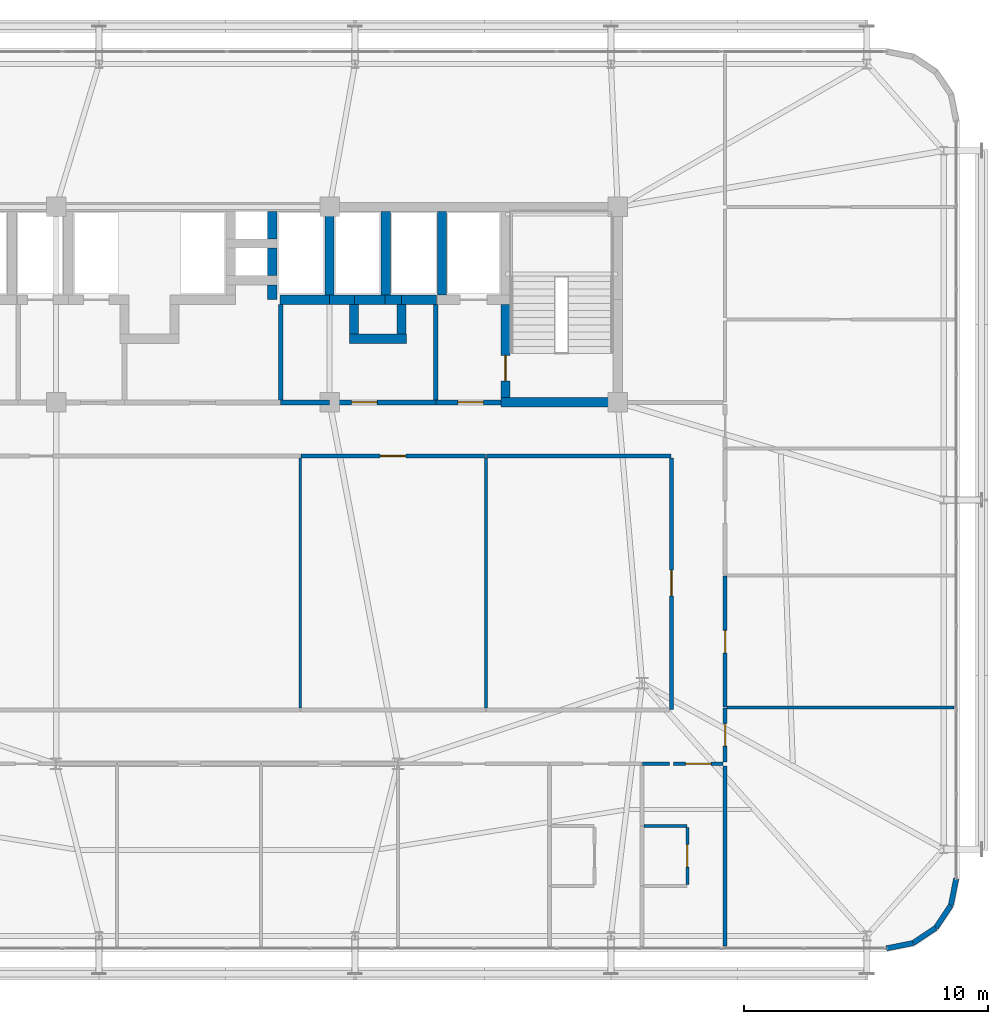
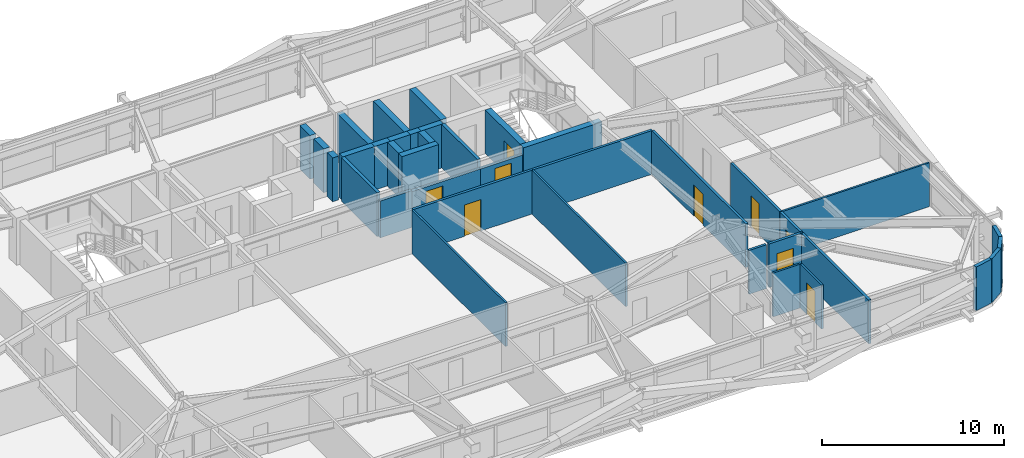
# One storey, part 54 of 58: 38 walls, 9 doors, 9 openings.
"""IFC4 building model written with IfcOpenShell, lengths in metres."""

from ifc_helpers import new_model, si_unit, direction, frame, frame_2d, origin, place, context, subcontext, project, spatial, rectangle, extrude, source, transform, mapped, material, layer, layer_set, type_object, element, fill, save


model = new_model("IFC4")

# Units and contexts
model_context = context("Model", 3, precision=1e-05, world=origin(), true_north=direction((0.0, 1.0)))
body_context = subcontext(model_context, "Body", "Model", "MODEL_VIEW")
ifc_project = project(units=[si_unit("LENGTHUNIT", "METRE"), si_unit("AREAUNIT", "SQUARE_METRE"), si_unit("VOLUMEUNIT", "CUBIC_METRE"), si_unit("PLANEANGLEUNIT", "RADIAN"), si_unit("MASSUNIT", "GRAM", prefix="KILO")], contexts=[model_context])

# Site, building, storey
site_placement = place(None, origin())
site = spatial("IfcSite", under=ifc_project, at=site_placement, CompositionType="ELEMENT")
building_placement = place(site_placement, origin())
building = spatial("IfcBuilding", under=site, at=building_placement, Name="Taldren Reach Tower", CompositionType="ELEMENT")
storey_placement = place(building_placement, frame((0.0, 0.0, 54.60009765625)))
storey = spatial("IfcBuildingStorey", under=building, at=storey_placement, Name="L16", CompositionType="ELEMENT", Elevation=54.60009765625)

# Walls
ifc_material_1 = material(Name="Pale Champagne Anodised Aluminium Cladding", Category="aluminium")
ifc_layer_1 = layer(ifc_material_1, 0.04, Name="Pale Champagne Anodised Aluminium Cladding", Category="aluminium")
ifc_material_2 = material(Name="Mineral Wool Acoustic Insulation", Category="insulation")
ifc_layer_2 = layer(ifc_material_2, 0.06, Name="Mineral Wool Acoustic Insulation", Category="insulation")
ifc_material_3 = material(Name="Steel Gr 350 (C350L0)", Category="steel")
ifc_layer_3 = layer(ifc_material_3, 0.12, Name="Steel Gr 350 (C350L0)", Category="steel")
ifc_layer_set_1 = layer_set([ifc_layer_1, ifc_layer_2, ifc_layer_3], Name="Pale Champagne Aluminium Cladding and Steel Gr 350 Stud Framing")
wall_type_1 = type_object("IfcWallType", Name="EW-CRN-220", PredefinedType="SOLIDWALL", material=ifc_layer_set_1)
shared_shape_1 = source(origin(), body_context, "Body", "SweptSolid", [
    extrude(rectangle(XDim=1.115966796875, YDim=0.219970703125, at=frame_2d((0.55810546875, 0.0))), origin(), (0.0, 0.0, 1.0), 2.929931640625),
])
for number, where, z_axis, x_axis, name in (
    (1, (62.0, 1.639892578125, 0.0), (0.0, 0.0, 1.0), (0.98077373103, 0.195148375659, 0.0), "Rounded-corner pale-metal facade wall L16-SE1"),
    (2, (63.094482421875, 1.857666015625, 0.0), (0.0, 0.0, 1.0), (0.83137650226, 0.555709556774, 0.0), "Rounded-corner pale-metal facade wall L16-SE2"),
    (3, (64.022216796875, 2.477783203125, 0.0), (0.0, 0.0, 1.0), (0.555709556774, 0.83137650226, 0.0), "Rounded-corner pale-metal facade wall L16-SE3"),
    (4, (64.642333984375, 3.405517578125, 0.0), (0.0, 0.0, 1.0), (0.195148375659, 0.98077373103, 0.0), "Rounded-corner pale-metal facade wall L16-SE4"),
):
    element("IfcWall", number, at=place(storey_placement, frame(where, z_axis=z_axis, x_axis=x_axis)), inside=storey, type_object=wall_type_1, Name=name, PredefinedType="SOLIDWALL", context=body_context, shape_type="MappedRepresentation", body=[
        mapped(shared_shape_1, transform((0.0, 0.0, 0.0), scale=1.0)),
    ])
ifc_material_4 = material(Name="Concrete S80 (80 MPa)", Category="concrete")
ifc_layer_4 = layer(ifc_material_4, 0.3798828125)
ifc_layer_set_2 = layer_set([ifc_layer_4], Name="Concrete S80 (80 MPa)")
wall_type_2 = type_object("IfcWallType", Name="IW-CORE-380", PredefinedType="SHEAR", material=ifc_layer_set_2)
shared_shape_2 = source(origin(), body_context, "Body", "SweptSolid", [
    extrude(rectangle(XDim=3.420166015625, YDim=0.3798828125, at=frame_2d((1.7099609375, 0.0))), origin(), (0.0, 0.0, 1.0), 2.929931640625),
])
for number, where, z_axis, x_axis, name in (
    (5, (43.800048828125, 31.81005859375, 0.0), (0.0, 0.0, 1.0), (0.0, -1.0, 0.0), "Rear Core Shear Wall W-INT-L16-012"),
    (6, (39.199951171875, 28.389892578125, 0.0), (0.0, 0.0, 1.0), (0.0, 1.0, 0.0), "Rear Core Shear Wall W-INT-L16-036"),
    (7, (41.5, 28.389892578125, 0.0), (0.0, 0.0, 1.0), (0.0, 1.0, 0.0), "Rear Core Shear Wall W-INT-L16-039"),
):
    element("IfcWall", number, at=place(storey_placement, frame(where, z_axis=z_axis, x_axis=x_axis)), inside=storey, type_object=wall_type_2, Name=name, PredefinedType="SHEAR", context=body_context, shape_type="MappedRepresentation", body=[
        mapped(shared_shape_2, transform((0.0, 0.0, 0.0), scale=1.0)),
    ])

# Wall, opening, door
shared_shape_3 = source(origin(), body_context, "Body", "SweptSolid", [
    extrude(rectangle(XDim=3.820068359375, YDim=0.3798828125, at=frame_2d((1.91015625, 0.0))), origin(), (0.0, 0.0, 1.0), 2.929931640625),
])
wall_1_placement = place(storey_placement, frame((46.39990234375, 28.010009765625, 0.0), z_axis=(0.0, 0.0, 1.0), x_axis=(0.0, -1.0, 0.0)))
wall_1 = element("IfcWall", 8, at=wall_1_placement, inside=storey, type_object=wall_type_2, Name="Rear Core Shear Wall W-INT-L16-009", PredefinedType="SHEAR", context=body_context, shape_type="MappedRepresentation", body=[
    mapped(shared_shape_3, transform((0.0, 0.0, 0.0), scale=1.0)),
])
shared_shape_4 = source(origin(), body_context, "Body", "SweptSolid", [
    extrude(rectangle(XDim=1.050048828125, YDim=2.10009765625, at=frame_2d((0.52490234375, 1.050048828125))), frame((0.0, 0.199951171875, 0.0), z_axis=(0.0, -1.0, 0.0), x_axis=(1.0, 0.0, 0.0)), (0.0, 0.0, 1.0), 0.39990234375),
])
opening_1_placement = place(wall_1_placement, frame((2.0849609375, 0.0, 0.0)))
opening_1 = element("IfcOpeningElement", 9, at=opening_1_placement, cuts=wall_1, Name="Opening DF-105", PredefinedType="OPENING", context=body_context, shape_type="MappedRepresentation", body=[
    mapped(shared_shape_4, transform((0.0, 0.0, 0.0), scale=1.0)),
])
ifc_material_5 = material(Name="Fire-Rated Care and Stair Exit Door")
door_type_1 = type_object("IfcDoorType", Name="ID-FIRE-105", OperationType="NOTDEFINED", PredefinedType="DOOR", material=ifc_material_5)
shared_shape_5 = source(origin(), body_context, "Body", "SweptSolid", [
    extrude(rectangle(XDim=1.050048828125, YDim=2.10009765625, at=frame_2d((0.52490234375, 1.050048828125))), frame((0.0, 0.02490234375, 0.0), z_axis=(0.0, -1.0, 0.0), x_axis=(1.0, 0.0, 0.0)), (0.0, 0.0, 1.0), 0.050048828125),
])
door_1_placement = place(opening_1_placement, origin())
door_1 = element("IfcDoor", 10, at=door_1_placement, inside=storey, type_object=door_type_1, Name="Fire Exit Stair Door DR-L16-003", OperationType="SINGLE_SWING_RIGHT", OverallHeight=2.10009765625, OverallWidth=1.050048828125, PredefinedType="DOOR", context=body_context, shape_type="MappedRepresentation", body=[
    mapped(shared_shape_5, transform((0.0, 0.0, 0.0), scale=1.0)),
])
fill(opening_1, door_1)

# Walls
shared_shape_6 = source(origin(), body_context, "Body", "SweptSolid", [
    extrude(rectangle(XDim=4.97998046875, YDim=0.3798828125, at=frame_2d((2.489990234375, 0.0))), origin(), (0.0, 0.0, 1.0), 2.929931640625),
])
wall_2_placement = place(storey_placement, frame((46.2099609375, 24.0, 0.0), z_axis=(0.0, 0.0, 1.0), x_axis=(1.0, 0.0, 0.0)))
element("IfcWall", 11, at=wall_2_placement, inside=storey, type_object=wall_type_2, Name="Rear Core Shear Wall W-INT-L16-010", PredefinedType="SHEAR", context=body_context, shape_type="MappedRepresentation", body=[
    mapped(shared_shape_6, transform((0.0, 0.0, 0.0), scale=1.0)),
])
ifc_material_6 = material(Name="Concrete S50 (50 MPa)", Category="concrete")
ifc_layer_5 = layer(ifc_material_6, 0.199951171875)
ifc_layer_set_3 = layer_set([ifc_layer_5], Name="Concrete S50 (50 MPa)")
wall_type_3 = type_object("IfcWallType", Name="IW-CORE-200", PredefinedType="SOLIDWALL", material=ifc_layer_set_3)
shared_shape_7 = source(origin(), body_context, "Body", "SweptSolid", [
    extrude(rectangle(XDim=3.909912109375, YDim=0.199951171875, at=frame_2d((1.955078125, 0.0))), origin(), (0.0, 0.0, 1.0), 2.929931640625),
])
for number, where, z_axis, x_axis, name in (
    (12, (43.550048828125, 28.010009765625, 0.0), (0.0, 0.0, 1.0), (0.0, -1.0, 0.0), "Rear Core Shear Wall W-INT-L16-013"),
    (13, (37.199951171875, 28.010009765625, 0.0), (0.0, 0.0, 1.0), (0.0, -1.0, 0.0), "Rear Core Shear Wall W-INT-L16-042"),
):
    element("IfcWall", number, at=place(storey_placement, frame(where, z_axis=z_axis, x_axis=x_axis)), inside=storey, type_object=wall_type_3, Name=name, PredefinedType="SOLIDWALL", context=body_context, shape_type="MappedRepresentation", body=[
        mapped(shared_shape_7, transform((0.0, 0.0, 0.0), scale=1.0)),
    ])

# Wall, opening, door
shared_shape_8 = source(origin(), body_context, "Body", "SweptSolid", [
    extrude(rectangle(XDim=2.659912109375, YDim=0.199951171875, at=frame_2d((1.330078125, 0.0))), origin(), (0.0, 0.0, 1.0), 2.39697265625),
])
wall_3_placement = place(storey_placement, frame((43.550048828125, 24.0, 0.0), z_axis=(0.0, 0.0, 1.0), x_axis=(1.0, 0.0, 0.0)))
wall_3 = element("IfcWall", 14, at=wall_3_placement, inside=storey, type_object=wall_type_3, Name="Rear Core Shear Wall W-INT-L16-014", PredefinedType="SOLIDWALL", context=body_context, shape_type="MappedRepresentation", body=[
    mapped(shared_shape_8, transform((0.0, 0.0, 0.0), scale=1.0)),
])
shared_shape_9 = source(origin(), body_context, "Body", "SweptSolid", [
    extrude(rectangle(XDim=1.050048828125, YDim=2.10009765625, at=frame_2d((0.52490234375, 1.050048828125))), frame((0.0, 0.10986328125, 0.0), z_axis=(0.0, -1.0, 0.0), x_axis=(1.0, 0.0, 0.0)), (0.0, 0.0, 1.0), 0.219970703125),
])
opening_2_placement = place(wall_3_placement, frame((0.89990234375, 0.0, 0.0)))
opening_2 = element("IfcOpeningElement", 15, at=opening_2_placement, cuts=wall_3, Name="Opening DF-105", PredefinedType="OPENING", context=body_context, shape_type="MappedRepresentation", body=[
    mapped(shared_shape_9, transform((0.0, 0.0, 0.0), scale=1.0)),
])
door_2_placement = place(opening_2_placement, origin())
door_2 = element("IfcDoor", 16, at=door_2_placement, inside=storey, type_object=door_type_1, Name="Interior Door DR-L16-004", OperationType="SINGLE_SWING_LEFT", OverallHeight=2.10009765625, OverallWidth=1.050048828125, PredefinedType="DOOR", context=body_context, shape_type="MappedRepresentation", body=[
    mapped(shared_shape_5, transform((0.0, 0.0, 0.0), scale=1.0)),
])
fill(opening_2, door_2)

# Walls
shared_shape_10 = source(origin(), body_context, "Body", "SweptSolid", [
    extrude(rectangle(XDim=1.1201171875, YDim=0.3798828125, at=frame_2d((0.56005859375, 0.0))), origin(), (0.0, 0.0, 1.0), 2.929931640625),
])
for number, where, z_axis, x_axis, name in (
    (17, (36.85009765625, 30.68994140625, 0.0), (0.0, 0.0, 1.0), (0.0, 1.0, 0.0), "Rear Core Shear Wall W-INT-L16-017"),
    (18, (36.85009765625, 29.18994140625, 0.0), (0.0, 0.0, 1.0), (0.0, 1.0, 0.0), "Rear Core Shear Wall W-INT-L16-019"),
):
    element("IfcWall", number, at=place(storey_placement, frame(where, z_axis=z_axis, x_axis=x_axis)), inside=storey, type_object=wall_type_2, Name=name, PredefinedType="SHEAR", context=body_context, shape_type="MappedRepresentation", body=[
        mapped(shared_shape_10, transform((0.0, 0.0, 0.0), scale=1.0)),
    ])
shared_shape_11 = source(origin(), body_context, "Body", "SweptSolid", [
    extrude(rectangle(XDim=1.219970703125, YDim=0.3798828125, at=frame_2d((0.60986328125, 0.0))), origin(), (0.0, 0.0, 1.0), 2.929931640625),
])
for number, where, z_axis, x_axis, name in (
    (19, (40.199951171875, 28.010009765625, 0.0), (0.0, 0.0, 1.0), (0.0, -1.0, 0.0), "Rear Core Shear Wall W-INT-L16-027"),
    (20, (42.14990234375, 26.7900390625, 0.0), (0.0, 0.0, 1.0), (0.0, 1.0, 0.0), "Rear Core Shear Wall W-INT-L16-028"),
):
    element("IfcWall", number, at=place(storey_placement, frame(where, z_axis=z_axis, x_axis=x_axis)), inside=storey, type_object=wall_type_2, Name=name, PredefinedType="SHEAR", context=body_context, shape_type="MappedRepresentation", body=[
        mapped(shared_shape_11, transform((0.0, 0.0, 0.0), scale=1.0)),
    ])
shared_shape_12 = source(origin(), body_context, "Body", "SweptSolid", [
    extrude(rectangle(XDim=1.320068359375, YDim=0.3798828125, at=frame_2d((0.66015625, 0.0))), origin(), (0.0, 0.0, 1.0), 2.929931640625),
])
wall_4_placement = place(storey_placement, frame((41.52001953125, 28.199951171875, 0.0), z_axis=(0.0, 0.0, 1.0), x_axis=(-1.0, 0.0, 0.0)))
element("IfcWall", 21, at=wall_4_placement, inside=storey, type_object=wall_type_2, Name="Rear Core Shear Wall W-INT-L16-024", PredefinedType="SHEAR", context=body_context, shape_type="MappedRepresentation", body=[
    mapped(shared_shape_12, transform((0.0, 0.0, 0.0), scale=1.0)),
])
shared_shape_13 = source(origin(), body_context, "Body", "SweptSolid", [
    extrude(rectangle(XDim=0.669921875, YDim=0.3798828125, at=frame_2d((0.3349609375, 0.0))), origin(), (0.0, 0.0, 1.0), 2.929931640625),
])
wall_5_placement = place(storey_placement, frame((42.14990234375, 28.199951171875, 0.0), z_axis=(0.0, 0.0, 1.0), x_axis=(-1.0, 0.0, 0.0)))
element("IfcWall", 22, at=wall_5_placement, inside=storey, type_object=wall_type_2, Name="Rear Core Shear Wall W-INT-L16-025", PredefinedType="SHEAR", context=body_context, shape_type="MappedRepresentation", body=[
    mapped(shared_shape_13, transform((0.0, 0.0, 0.0), scale=1.0)),
])
shared_shape_14 = source(origin(), body_context, "Body", "SweptSolid", [
    extrude(rectangle(XDim=2.330078125, YDim=0.3798828125, at=frame_2d((1.1650390625, 0.0))), origin(), (0.0, 0.0, 1.0), 2.929931640625),
])
wall_6_placement = place(storey_placement, frame((40.010009765625, 26.60009765625, 0.0), z_axis=(0.0, 0.0, 1.0), x_axis=(1.0, 0.0, 0.0)))
element("IfcWall", 23, at=wall_6_placement, inside=storey, type_object=wall_type_2, Name="Rear Core Shear Wall W-INT-L16-026", PredefinedType="SHEAR", context=body_context, shape_type="MappedRepresentation", body=[
    mapped(shared_shape_14, transform((0.0, 0.0, 0.0), scale=1.0)),
])
shared_shape_15 = source(origin(), body_context, "Body", "SweptSolid", [
    extrude(rectangle(XDim=0.610107421875, YDim=0.3798828125, at=frame_2d((0.30517578125, 0.0))), origin(), (0.0, 0.0, 1.0), 2.929931640625),
])
wall_7_placement = place(storey_placement, frame((36.85009765625, 28.81005859375, 0.0), z_axis=(0.0, 0.0, 1.0), x_axis=(0.0, -1.0, 0.0)))
element("IfcWall", 24, at=wall_7_placement, inside=storey, type_object=wall_type_2, Name="Rear Core Shear Wall W-INT-L16-037", PredefinedType="SHEAR", context=body_context, shape_type="MappedRepresentation", body=[
    mapped(shared_shape_15, transform((0.0, 0.0, 0.0), scale=1.0)),
])
shared_shape_16 = source(origin(), body_context, "Body", "SweptSolid", [
    extrude(rectangle(XDim=2.02001953125, YDim=0.3798828125, at=frame_2d((1.010009765625, 0.0))), origin(), (0.0, 0.0, 1.0), 2.929931640625),
])
wall_8_placement = place(storey_placement, frame((37.179931640625, 28.199951171875, 0.0), z_axis=(0.0, 0.0, 1.0), x_axis=(1.0, 0.0, 0.0)))
element("IfcWall", 25, at=wall_8_placement, inside=storey, type_object=wall_type_2, Name="Rear Core Shear Wall W-INT-L16-038", PredefinedType="SHEAR", context=body_context, shape_type="MappedRepresentation", body=[
    mapped(shared_shape_16, transform((0.0, 0.0, 0.0), scale=1.0)),
])
shared_shape_17 = source(origin(), body_context, "Body", "SweptSolid", [
    extrude(rectangle(XDim=1.02001953125, YDim=0.3798828125, at=frame_2d((0.510009765625, 0.0))), origin(), (0.0, 0.0, 1.0), 2.929931640625),
])
wall_9_placement = place(storey_placement, frame((39.199951171875, 28.199951171875, 0.0), z_axis=(0.0, 0.0, 1.0), x_axis=(1.0, 0.0, 0.0)))
element("IfcWall", 26, at=wall_9_placement, inside=storey, type_object=wall_type_2, Name="Rear Core Shear Wall W-INT-L16-040", PredefinedType="SHEAR", context=body_context, shape_type="MappedRepresentation", body=[
    mapped(shared_shape_17, transform((0.0, 0.0, 0.0), scale=1.0)),
])
shared_shape_18 = source(origin(), body_context, "Body", "SweptSolid", [
    extrude(rectangle(XDim=1.440185546875, YDim=0.3798828125, at=frame_2d((0.72021484375, 0.0))), origin(), (0.0, 0.0, 1.0), 2.929931640625),
])
wall_10_placement = place(storey_placement, frame((42.1298828125, 28.199951171875, 0.0), z_axis=(0.0, 0.0, 1.0), x_axis=(1.0, 0.0, 0.0)))
element("IfcWall", 27, at=wall_10_placement, inside=storey, type_object=wall_type_2, Name="Rear Core Shear Wall W-INT-L16-041", PredefinedType="SHEAR", context=body_context, shape_type="MappedRepresentation", body=[
    mapped(shared_shape_18, transform((0.0, 0.0, 0.0), scale=1.0)),
])

# Wall, opening, door
shared_shape_19 = source(origin(), body_context, "Body", "SweptSolid", [
    extrude(rectangle(XDim=4.35009765625, YDim=0.199951171875, at=frame_2d((2.175048828125, 0.0))), origin(), (0.0, 0.0, 1.0), 2.39697265625),
])
wall_11_placement = place(storey_placement, frame((43.550048828125, 24.0, 0.0), z_axis=(0.0, 0.0, 1.0), x_axis=(-1.0, 0.0, 0.0)))
wall_11 = element("IfcWall", 28, at=wall_11_placement, inside=storey, type_object=wall_type_3, Name="Rear Core Shear Wall W-INT-L16-044", PredefinedType="SOLIDWALL", context=body_context, shape_type="MappedRepresentation", body=[
    mapped(shared_shape_19, transform((0.0, 0.0, 0.0), scale=1.0)),
])
opening_3_placement = place(wall_11_placement, frame((2.39990234375, 0.0, 0.0)))
opening_3 = element("IfcOpeningElement", 29, at=opening_3_placement, cuts=wall_11, Name="Opening DF-105", PredefinedType="OPENING", context=body_context, shape_type="MappedRepresentation", body=[
    mapped(shared_shape_9, transform((0.0, 0.0, 0.0), scale=1.0)),
])
door_3_placement = place(opening_3_placement, frame((1.050048828125, 0.0, 0.0), z_axis=(0.0, 0.0, 1.0), x_axis=(-1.0, 0.0, 0.0)))
door_3 = element("IfcDoor", 30, at=door_3_placement, inside=storey, type_object=door_type_1, Name="Interior Door DR-L16-007", OperationType="SINGLE_SWING_RIGHT", OverallHeight=2.10009765625, OverallWidth=1.050048828125, PredefinedType="DOOR", context=body_context, shape_type="MappedRepresentation", body=[
    mapped(shared_shape_5, transform((0.0, 0.0, 0.0), scale=1.0)),
])
fill(opening_3, door_3)

# Wall
shared_shape_20 = source(origin(), body_context, "Body", "SweptSolid", [
    extrude(rectangle(XDim=2.0, YDim=0.199951171875, at=frame_2d((1.0, 0.0))), origin(), (0.0, 0.0, 1.0), 2.469970703125),
])
wall_12_placement = place(storey_placement, frame((39.199951171875, 24.0, 0.0), z_axis=(0.0, 0.0, 1.0), x_axis=(-1.0, 0.0, 0.0)))
element("IfcWall", 31, at=wall_12_placement, inside=storey, type_object=wall_type_3, Name="Rear Core Shear Wall W-INT-L16-044 part 2", PredefinedType="SOLIDWALL", context=body_context, shape_type="MappedRepresentation", body=[
    mapped(shared_shape_20, transform((0.0, 0.0, 0.0), scale=1.0)),
])

# Wall, opening, door
ifc_material_7 = material(Name="Fire-Rated Acoustic Plasterboard Stud Wall", Category="gypsum")
ifc_layer_6 = layer(ifc_material_7, 0.159912109375)
ifc_layer_set_4 = layer_set([ifc_layer_6], Name="Fire-Rated Acoustic Plasterboard Stud Wall")
wall_type_4 = type_object("IfcWallType", Name="IW-FIRE-160", PredefinedType="PARTITIONING", material=ifc_layer_set_4)
shared_shape_21 = source(origin(), body_context, "Body", "SweptSolid", [
    extrude(rectangle(XDim=10.2998046875, YDim=0.159912109375, at=frame_2d((5.14990234375, 0.0))), origin(), (0.0, 0.0, 1.0), 2.929931640625),
])
wall_13_placement = place(storey_placement, frame((53.199951171875, 11.420166015625, 0.0), z_axis=(0.0, 0.0, 1.0), x_axis=(0.0, 1.0, 0.0)))
wall_13 = element("IfcWall", 32, at=wall_13_placement, inside=storey, type_object=wall_type_4, Name="Interior Partition Wall W-INT-L16-048", PredefinedType="PARTITIONING", context=body_context, shape_type="MappedRepresentation", body=[
    mapped(shared_shape_21, transform((0.0, 0.0, 0.0), scale=1.0)),
])
shared_shape_22 = source(origin(), body_context, "Body", "SweptSolid", [
    extrude(rectangle(XDim=1.050048828125, YDim=2.10009765625, at=frame_2d((0.52490234375, 1.050048828125))), frame((0.0, 0.08984375, 0.0), z_axis=(0.0, -1.0, 0.0), x_axis=(1.0, 0.0, 0.0)), (0.0, 0.0, 1.0), 0.179931640625),
])
opening_4_placement = place(wall_13_placement, frame((4.65478515625, 0.0, 0.0)))
opening_4 = element("IfcOpeningElement", 33, at=opening_4_placement, cuts=wall_13, Name="Opening DF-105", PredefinedType="OPENING", context=body_context, shape_type="MappedRepresentation", body=[
    mapped(shared_shape_22, transform((0.0, 0.0, 0.0), scale=1.0)),
])
door_4_placement = place(opening_4_placement, origin())
door_4 = element("IfcDoor", 34, at=door_4_placement, inside=storey, type_object=door_type_1, Name="Interior Door DR-L16-010", OperationType="SINGLE_SWING_LEFT", OverallHeight=2.10009765625, OverallWidth=1.050048828125, PredefinedType="DOOR", context=body_context, shape_type="MappedRepresentation", body=[
    mapped(shared_shape_5, transform((0.0, 0.0, 0.0), scale=1.0)),
])
fill(opening_4, door_4)

shared_shape_23 = source(origin(), body_context, "Body", "SweptSolid", [
    extrude(rectangle(XDim=2.0400390625, YDim=0.159912109375, at=frame_2d((1.02001953125, 0.0))), origin(), (0.0, 0.0, 1.0), 2.929931640625),
])
wall_14_placement = place(storey_placement, frame((55.320068359375, 9.199951171875, 0.0), z_axis=(0.0, 0.0, 1.0), x_axis=(-1.0, 0.0, 0.0)))
wall_14 = element("IfcWall", 35, at=wall_14_placement, inside=storey, type_object=wall_type_4, Name="Interior Partition Wall W-INT-L16-051", PredefinedType="PARTITIONING", context=body_context, shape_type="MappedRepresentation", body=[
    mapped(shared_shape_23, transform((0.0, 0.0, 0.0), scale=1.0)),
])
opening_5_placement = place(wall_14_placement, frame((0.4951171875, 0.0, 0.0)))
opening_5 = element("IfcOpeningElement", 36, at=opening_5_placement, cuts=wall_14, Name="Opening DF-105", PredefinedType="OPENING", context=body_context, shape_type="MappedRepresentation", body=[
    mapped(shared_shape_22, transform((0.0, 0.0, 0.0), scale=1.0)),
])
door_5_placement = place(opening_5_placement, origin())
door_5 = element("IfcDoor", 37, at=door_5_placement, inside=storey, type_object=door_type_1, Name="Interior Door DR-L16-012", OperationType="SINGLE_SWING_LEFT", OverallHeight=2.10009765625, OverallWidth=1.050048828125, PredefinedType="DOOR", context=body_context, shape_type="MappedRepresentation", body=[
    mapped(shared_shape_5, transform((0.0, 0.0, 0.0), scale=1.0)),
])
fill(opening_5, door_5)

# Wall
shared_shape_24 = source(origin(), body_context, "Body", "SweptSolid", [
    extrude(rectangle(XDim=1.099853515625, YDim=0.159912109375, at=frame_2d((0.5498046875, 0.0))), origin(), (0.0, 0.0, 1.0), 2.929931640625),
])
wall_15_placement = place(storey_placement, frame((53.1201171875, 9.199951171875, 0.0), z_axis=(0.0, 0.0, 1.0), x_axis=(-1.0, 0.0, 0.0)))
element("IfcWall", 38, at=wall_15_placement, inside=storey, type_object=wall_type_4, Name="Interior Partition Wall W-INT-L16-070", PredefinedType="PARTITIONING", context=body_context, shape_type="MappedRepresentation", body=[
    mapped(shared_shape_24, transform((0.0, 0.0, 0.0), scale=1.0)),
])

# Wall, opening, door
shared_shape_25 = source(origin(), body_context, "Body", "SweptSolid", [
    extrude(rectangle(XDim=5.359619140625, YDim=0.159912109375, at=frame_2d((2.6796875, 0.0))), origin(), (0.0, 0.0, 1.0), 2.929931640625),
])
wall_16_placement = place(storey_placement, frame((55.39990234375, 16.8798828125, 0.0), z_axis=(0.0, 0.0, 1.0), x_axis=(0.0, -1.0, 0.0)))
wall_16 = element("IfcWall", 39, at=wall_16_placement, inside=storey, type_object=wall_type_4, Name="Interior Partition Wall W-INT-L16-055", PredefinedType="PARTITIONING", context=body_context, shape_type="MappedRepresentation", body=[
    mapped(shared_shape_25, transform((0.0, 0.0, 0.0), scale=1.0)),
])
shared_shape_26 = source(origin(), body_context, "Body", "SweptSolid", [
    extrude(rectangle(XDim=0.919921875, YDim=2.10009765625, at=frame_2d((0.4599609375, 1.050048828125))), frame((0.0, 0.08984375, 0.0), z_axis=(0.0, -1.0, 0.0), x_axis=(1.0, 0.0, 0.0)), (0.0, 0.0, 1.0), 0.179931640625),
])
opening_6_placement = place(wall_16_placement, frame((2.2197265625, 0.0, 0.0)))
opening_6 = element("IfcOpeningElement", 40, at=opening_6_placement, cuts=wall_16, Name="Opening DI-092", PredefinedType="OPENING", context=body_context, shape_type="MappedRepresentation", body=[
    mapped(shared_shape_26, transform((0.0, 0.0, 0.0), scale=1.0)),
])
ifc_material_8 = material(Name="Solid-Core Timber Suite Door", Category="wood")
door_type_2 = type_object("IfcDoorType", Name="ID-INT-092", OperationType="NOTDEFINED", PredefinedType="DOOR", material=ifc_material_8)
shared_shape_27 = source(origin(), body_context, "Body", "SweptSolid", [
    extrude(rectangle(XDim=0.919921875, YDim=2.10009765625, at=frame_2d((0.4599609375, 1.050048828125))), frame((0.0, 0.02490234375, 0.0), z_axis=(0.0, -1.0, 0.0), x_axis=(1.0, 0.0, 0.0)), (0.0, 0.0, 1.0), 0.050048828125),
])
door_6_placement = place(opening_6_placement, origin())
door_6 = element("IfcDoor", 41, at=door_6_placement, inside=storey, type_object=door_type_2, Name="Interior Door DR-L16-016", OperationType="SINGLE_SWING_LEFT", OverallHeight=2.10009765625, OverallWidth=0.919921875, PredefinedType="DOOR", context=body_context, shape_type="MappedRepresentation", body=[
    mapped(shared_shape_27, transform((0.0, 0.0, 0.0), scale=1.0)),
])
fill(opening_6, door_6)

ifc_material_9 = material(Name="Insulated Residential Stud Partition", Category="gypsum")
ifc_layer_7 = layer(ifc_material_9, 0.1201171875)
ifc_layer_set_5 = layer_set([ifc_layer_7], Name="Insulated Residential Stud Partition")
wall_type_5 = type_object("IfcWallType", Name="IW-PART-120", PredefinedType="PARTITIONING", material=ifc_layer_set_5)
shared_shape_28 = source(origin(), body_context, "Body", "SweptSolid", [
    extrude(rectangle(XDim=2.330078125, YDim=0.1201171875, at=frame_2d((1.1650390625, 0.0))), origin(), (0.0, 0.0, 1.0), 2.929931640625),
])
wall_17_placement = place(storey_placement, frame((53.85009765625, 4.260009765625, 0.0), z_axis=(0.0, 0.0, 1.0), x_axis=(0.0, 1.0, 0.0)))
wall_17 = element("IfcWall", 42, at=wall_17_placement, inside=storey, type_object=wall_type_5, Name="Interior Partition Wall W-INT-L16-093", PredefinedType="PARTITIONING", context=body_context, shape_type="MappedRepresentation", body=[
    mapped(shared_shape_28, transform((0.0, 0.0, 0.0), scale=1.0)),
])
shared_shape_29 = source(origin(), body_context, "Body", "SweptSolid", [
    extrude(rectangle(XDim=0.919921875, YDim=2.10009765625, at=frame_2d((0.4599609375, 1.050048828125))), frame((0.0, 0.070068359375, 0.0), z_axis=(0.0, -1.0, 0.0), x_axis=(1.0, 0.0, 0.0)), (0.0, 0.0, 1.0), 0.14013671875),
])
opening_7_placement = place(wall_17_placement, frame((0.705078125, 0.0, 0.0)))
opening_7 = element("IfcOpeningElement", 43, at=opening_7_placement, cuts=wall_17, Name="Opening DI-092", PredefinedType="OPENING", context=body_context, shape_type="MappedRepresentation", body=[
    mapped(shared_shape_29, transform((0.0, 0.0, 0.0), scale=1.0)),
])
door_7_placement = place(opening_7_placement, origin())
door_7 = element("IfcDoor", 44, at=door_7_placement, inside=storey, type_object=door_type_2, Name="Interior Door DR-L16-028", OperationType="SINGLE_SWING_LEFT", OverallHeight=2.10009765625, OverallWidth=0.919921875, PredefinedType="DOOR", context=body_context, shape_type="MappedRepresentation", body=[
    mapped(shared_shape_27, transform((0.0, 0.0, 0.0), scale=1.0)),
])
fill(opening_7, door_7)

# Walls
shared_shape_30 = source(origin(), body_context, "Body", "SweptSolid", [
    extrude(rectangle(XDim=1.749755859375, YDim=0.1201171875, at=frame_2d((0.875, 0.0))), origin(), (0.0, 0.0, 1.0), 2.929931640625),
])
wall_18_placement = place(storey_placement, frame((53.829833984375, 6.64990234375, 0.0), z_axis=(0.0, 0.0, 1.0), x_axis=(-1.0, 0.0, 0.0)))
element("IfcWall", 45, at=wall_18_placement, inside=storey, type_object=wall_type_5, Name="Interior Partition Wall W-INT-L16-095", PredefinedType="PARTITIONING", context=body_context, shape_type="MappedRepresentation", body=[
    mapped(shared_shape_30, transform((0.0, 0.0, 0.0), scale=1.0)),
])
shared_shape_31 = source(origin(), body_context, "Body", "SweptSolid", [
    extrude(rectangle(XDim=7.385986328125, YDim=0.159912109375, at=frame_2d((3.69287109375, 0.0))), origin(), (0.0, 0.0, 1.0), 2.929931640625),
])
wall_19_placement = place(storey_placement, frame((55.39990234375, 9.117919921875, 0.0), z_axis=(0.0, 0.0, 1.0), x_axis=(0.0, -1.0, 0.0)))
element("IfcWall", 46, at=wall_19_placement, inside=storey, type_object=wall_type_4, Name="Interior Partition Wall W-INT-L16-096", PredefinedType="PARTITIONING", context=body_context, shape_type="MappedRepresentation", body=[
    mapped(shared_shape_31, transform((0.0, 0.0, 0.0), scale=1.0)),
])
shared_shape_32 = source(origin(), body_context, "Body", "SweptSolid", [
    extrude(rectangle(XDim=9.2900390625, YDim=0.1201171875, at=frame_2d((4.64501953125, 0.0))), origin(), (0.0, 0.0, 1.0), 2.929931640625),
])
wall_20_placement = place(storey_placement, frame((55.47998046875, 11.5, 0.0), z_axis=(0.0, 0.0, 1.0), x_axis=(1.0, 0.0, 0.0)))
element("IfcWall", 47, at=wall_20_placement, inside=storey, type_object=wall_type_5, Name="Interior Partition Wall W-INT-L16-101", PredefinedType="PARTITIONING", context=body_context, shape_type="MappedRepresentation", body=[
    mapped(shared_shape_32, transform((0.0, 0.0, 0.0), scale=1.0)),
])
shared_shape_33 = source(origin(), body_context, "Body", "SweptSolid", [
    extrude(rectangle(XDim=10.239990234375, YDim=0.1201171875, at=frame_2d((5.1201171875, 0.0))), origin(), (0.0, 0.0, 1.0), 2.929931640625),
])
for number, where, z_axis, x_axis, name in (
    (48, (38.0, 21.719970703125, 0.0), (0.0, 0.0, 1.0), (0.0, -1.0, 0.0), "Interior Partition Wall W-INT-L16-071"),
    (49, (45.60009765625, 21.719970703125, 0.0), (0.0, 0.0, 1.0), (0.0, -1.0, 0.0), "Interior Partition Wall W-INT-L16-072"),
):
    element("IfcWall", number, at=place(storey_placement, frame(where, z_axis=z_axis, x_axis=x_axis)), inside=storey, type_object=wall_type_5, Name=name, PredefinedType="PARTITIONING", context=body_context, shape_type="MappedRepresentation", body=[
        mapped(shared_shape_33, transform((0.0, 0.0, 0.0), scale=1.0)),
    ])

# Wall, opening, door
shared_shape_34 = source(origin(), body_context, "Body", "SweptSolid", [
    extrude(rectangle(XDim=7.5595703125, YDim=0.159912109375, at=frame_2d((3.77978515625, 0.0))), origin(), (0.0, 0.0, 1.0), 2.929931640625),
])
wall_21_placement = place(storey_placement, frame((45.579833984375, 21.800048828125, 0.0), z_axis=(0.0, 0.0, 1.0), x_axis=(-1.0, 0.0, 0.0)))
wall_21 = element("IfcWall", 50, at=wall_21_placement, inside=storey, type_object=wall_type_4, Name="Interior Partition Wall W-INT-L16-047", PredefinedType="PARTITIONING", context=body_context, shape_type="MappedRepresentation", body=[
    mapped(shared_shape_34, transform((0.0, 0.0, 0.0), scale=1.0)),
])
opening_8_placement = place(wall_21_placement, frame((3.2548828125, 0.0, 0.0)))
opening_8 = element("IfcOpeningElement", 51, at=opening_8_placement, cuts=wall_21, Name="Opening DF-105", PredefinedType="OPENING", context=body_context, shape_type="MappedRepresentation", body=[
    mapped(shared_shape_22, transform((0.0, 0.0, 0.0), scale=1.0)),
])
door_8_placement = place(opening_8_placement, origin())
door_8 = element("IfcDoor", 52, at=door_8_placement, inside=storey, type_object=door_type_1, Name="Interior Door DR-L16-009", OperationType="SINGLE_SWING_RIGHT", OverallHeight=2.10009765625, OverallWidth=1.050048828125, PredefinedType="DOOR", context=body_context, shape_type="MappedRepresentation", body=[
    mapped(shared_shape_5, transform((0.0, 0.0, 0.0), scale=1.0)),
])
fill(opening_8, door_8)

# Wall
wall_22_placement = place(storey_placement, frame((53.1796875, 21.800048828125, 0.0), z_axis=(0.0, 0.0, 1.0), x_axis=(-1.0, 0.0, 0.0)))
element("IfcWall", 53, at=wall_22_placement, inside=storey, type_object=wall_type_4, Name="Interior Partition Wall W-INT-L16-049", PredefinedType="PARTITIONING", context=body_context, shape_type="MappedRepresentation", body=[
    mapped(shared_shape_34, transform((0.0, 0.0, 0.0), scale=1.0)),
])

# Wall, opening, door
shared_shape_35 = source(origin(), body_context, "Body", "SweptSolid", [
    extrude(rectangle(XDim=2.19970703125, YDim=0.159912109375, at=frame_2d((1.099853515625, 0.0))), origin(), (0.0, 0.0, 1.0), 2.929931640625),
])
wall_23_placement = place(storey_placement, frame((55.39990234375, 11.479736328125, 0.0), z_axis=(0.0, 0.0, 1.0), x_axis=(0.0, -1.0, 0.0)))
wall_23 = element("IfcWall", 54, at=wall_23_placement, inside=storey, type_object=wall_type_4, Name="Interior Partition Wall W-INT-L16-054", PredefinedType="PARTITIONING", context=body_context, shape_type="MappedRepresentation", body=[
    mapped(shared_shape_35, transform((0.0, 0.0, 0.0), scale=1.0)),
])
opening_9_placement = place(wall_23_placement, frame((0.639892578125, 0.0, 0.0)))
opening_9 = element("IfcOpeningElement", 55, at=opening_9_placement, cuts=wall_23, Name="Opening DI-092", PredefinedType="OPENING", context=body_context, shape_type="MappedRepresentation", body=[
    mapped(shared_shape_26, transform((0.0, 0.0, 0.0), scale=1.0)),
])
door_9_placement = place(opening_9_placement, origin())
door_9 = element("IfcDoor", 56, at=door_9_placement, inside=storey, type_object=door_type_2, Name="Interior Door DR-L16-015", OperationType="SINGLE_SWING_RIGHT", OverallHeight=2.10009765625, OverallWidth=0.919921875, PredefinedType="DOOR", context=body_context, shape_type="MappedRepresentation", body=[
    mapped(shared_shape_27, transform((0.0, 0.0, 0.0), scale=1.0)),
])
fill(opening_9, door_9)

save(model, "model.ifc")
